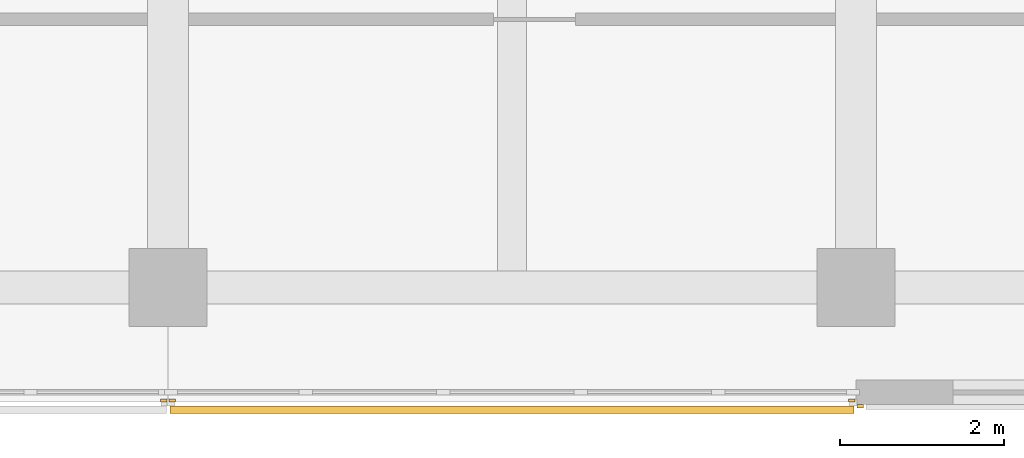
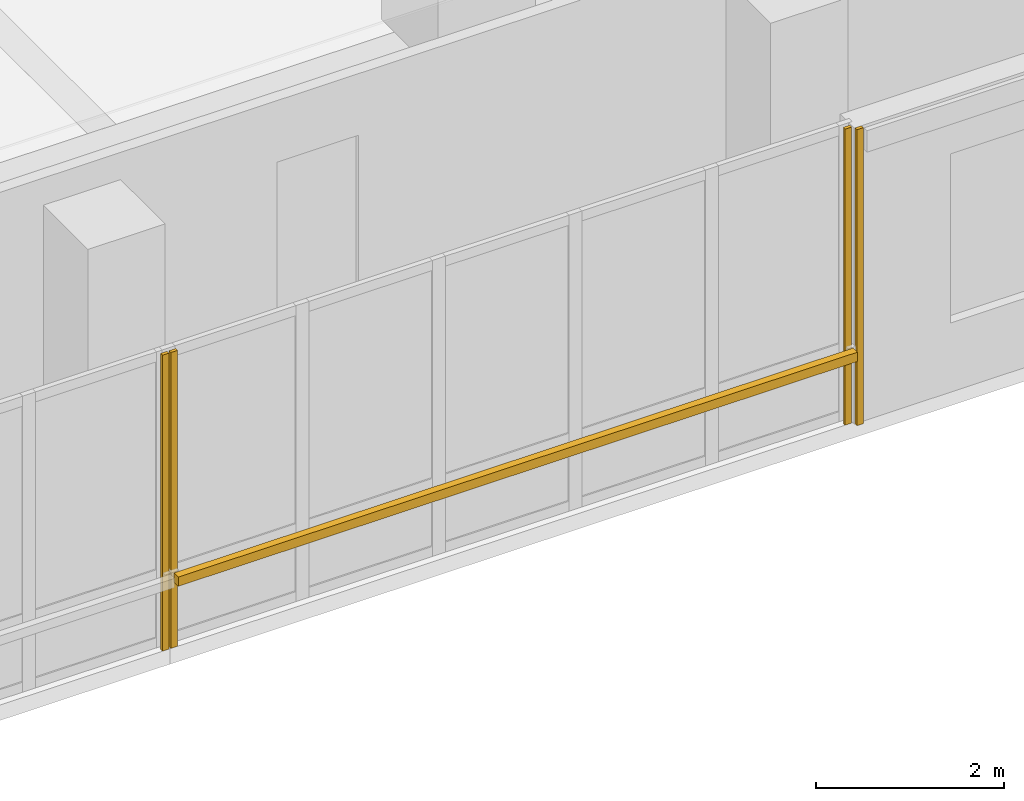
# One storey, part 107 of 128: 4 coverings, 1 shading device.
"""IFC4 building model written with IfcOpenShell, lengths in metres."""

from ifc_helpers import new_model, si_unit, direction, frame, origin, origin_2d, place, context, subcontext, project, spatial, rectangle, extrude, material, layer, layer_set, type_object, element, save


model = new_model("IFC4")

# Units and contexts
model_context = context("Model", 3, precision=1e-05, world=origin(), true_north=direction((0.0, 1.0)))
body_context = subcontext(model_context, "Body", "Model", "MODEL_VIEW")
ifc_project = project(units=[si_unit("LENGTHUNIT", "METRE"), si_unit("AREAUNIT", "SQUARE_METRE"), si_unit("VOLUMEUNIT", "CUBIC_METRE"), si_unit("PLANEANGLEUNIT", "RADIAN"), si_unit("MASSUNIT", "GRAM", prefix="KILO")], contexts=[model_context])

# Site, building, storey
site_placement = place(None, origin())
site = spatial("IfcSite", under=ifc_project, at=site_placement, CompositionType="ELEMENT")
building_placement = place(site_placement, origin())
building = spatial("IfcBuilding", under=site, at=building_placement, Name="Telukmera Botanical Conservatory", CompositionType="ELEMENT")
storey_placement = place(building_placement, frame((0.0, 0.0, 5.39990234375)))
storey = spatial("IfcBuildingStorey", under=building, at=storey_placement, Name="L01", CompositionType="ELEMENT", Elevation=5.39990234375)

# Coverings
ifc_material_1 = material(Name="Granite-faced precast concrete C40/50", Category="masonry")
ifc_layer_1 = layer(ifc_material_1, 0.0400390625)
ifc_layer_set_1 = layer_set([ifc_layer_1], Name="Granite-faced precast concrete C40/50")
covering_type = type_object("IfcCoveringType", Name="Granite Precast Column Pier Reveal Casing", PredefinedType="CLADDING", material=ifc_layer_set_1)
for number, where, z_axis, x_axis, name in (
    (1, (92.347900390625, 9.219970703125, 0.0), (0.0, 0.0, 1.0), (1.0, 0.0, 0.0), "Granite Pier Reveal V4:L01:S5 R"),
    (2, (92.451904296875, 9.219970703125, 0.0), (0.0, 0.0, 1.0), (1.0, 0.0, 0.0), "Granite Pier Reveal V4:L01:S6 L"),
    (3, (100.748046875, 9.219970703125, 0.0), (0.0, 0.0, 1.0), (1.0, 0.0, 0.0), "Granite Pier Reveal V4:L01:S6 R"),
    (4, (100.85205078125, 9.14990234375, 0.0), (0.0, 0.0, 1.0), (1.0, 0.0, 0.0), "Granite Pier Reveal V4:L01:S7 L"),
):
    element("IfcCovering", number, at=place(storey_placement, frame(where, z_axis=z_axis, x_axis=x_axis)), inside=storey, type_object=covering_type, Name=name, PredefinedType="CLADDING", context=body_context, shape_type="SweptSolid", body=[
        extrude(rectangle(XDim=0.080078125, YDim=0.0400390625, at=origin_2d()), origin(), (0.0, 0.0, 1.0), 3.85009765625),
    ])

# Shading device
ifc_material_2 = material(Name="Perforated terracotta-anodised aluminium 6063-T6", Category="masonry")
ifc_layer_2 = layer(ifc_material_2, 0.044921875)
ifc_layer_set_2 = layer_set([ifc_layer_2], Name="Perforated terracotta-anodised aluminium 6063-T6")
shading_device_type = type_object("IfcShadingDeviceType", Name="Perforated Terracotta Aluminium Monsoon Brise Soleil", PredefinedType="JALOUSIE", material=ifc_layer_set_2)
shading_device_placement = place(storey_placement, frame((96.60009765625, 9.10498046875, 0.89013671875), z_axis=(0.0, 0.0, 1.0), x_axis=(1.0, 0.0, 0.0)))
element("IfcShadingDevice", 5, at=shading_device_placement, inside=storey, type_object=shading_device_type, Name="Monsoon Shading BS01 V4:L01:S6", PredefinedType="JALOUSIE", context=body_context, shape_type="SweptSolid", body=[
    extrude(rectangle(XDim=8.35595703125, YDim=0.090087890625, at=origin_2d()), origin(), (0.0, 0.0, 1.0), 0.1201171875),
])

save(model, "model.ifc")
